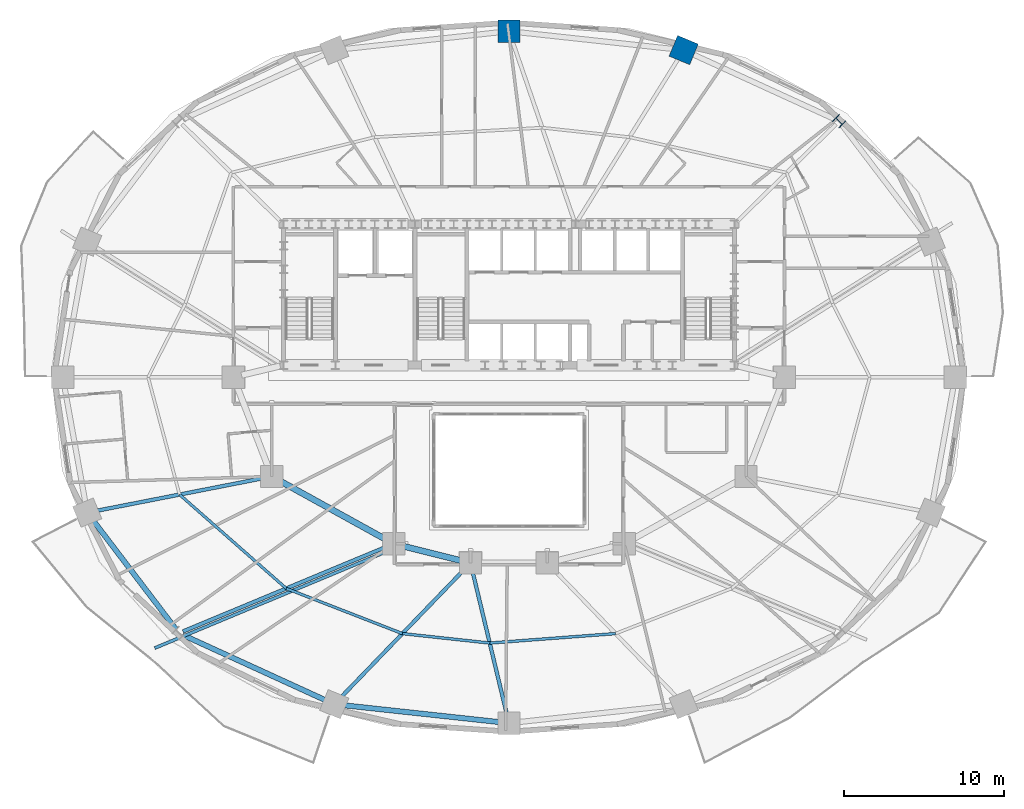
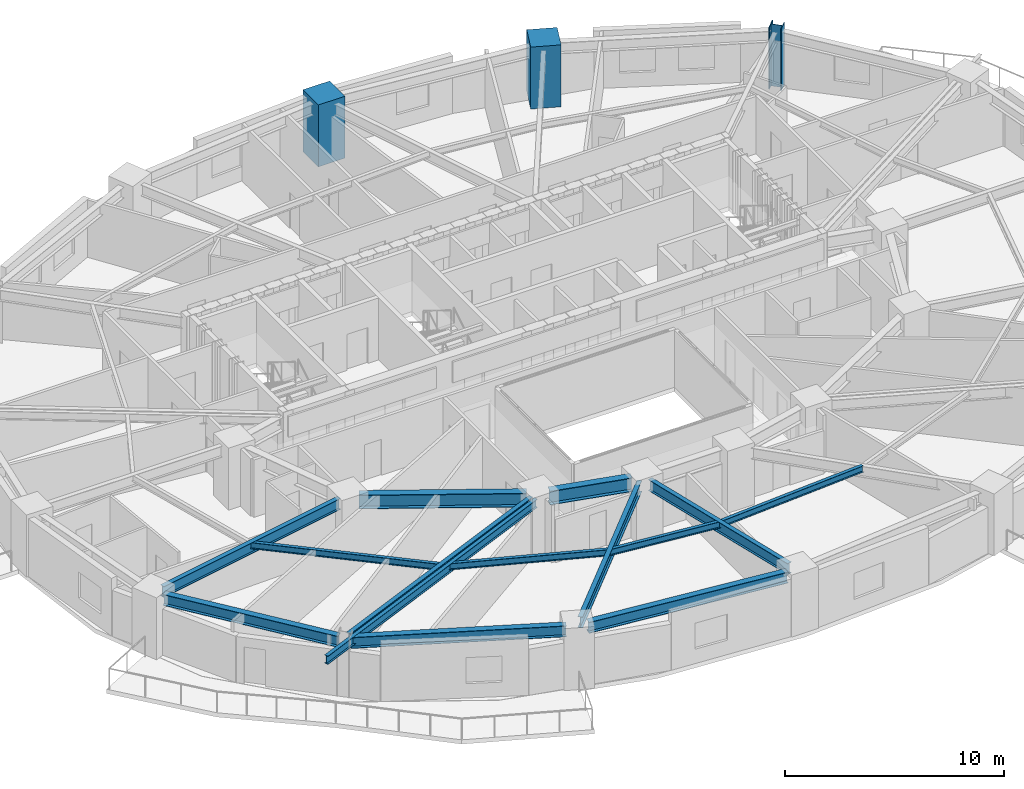
# One storey, part 2 of 15: 14 beams, 3 columns.
"""IFC4 building model written with IfcOpenShell, lengths in metres."""

from ifc_helpers import new_model, si_unit, direction, frame, origin, origin_2d, place, context, subcontext, project, spatial, rectangle, i_section, extrude, material, material_profile, profile_set, type_object, element, save


model = new_model("IFC4")

# Units and contexts
model_context = context("Model", 3, precision=1e-05, world=origin(), true_north=direction((0.0, 1.0)))
body_context = subcontext(model_context, "Body", "Model", "MODEL_VIEW")
ifc_project = project(units=[si_unit("LENGTHUNIT", "METRE"), si_unit("AREAUNIT", "SQUARE_METRE"), si_unit("VOLUMEUNIT", "CUBIC_METRE"), si_unit("PLANEANGLEUNIT", "RADIAN"), si_unit("MASSUNIT", "GRAM", prefix="KILO")], contexts=[model_context])

# Site, building, storey
site_placement = place(None, origin())
site = spatial("IfcSite", under=ifc_project, at=site_placement, CompositionType="ELEMENT")
building_placement = place(site_placement, origin())
building = spatial("IfcBuilding", under=site, at=building_placement, Name="Haldorwick Loom Tower", CompositionType="ELEMENT")
storey_placement = place(building_placement, frame((0.0, 0.0, 92.14990234375)))
storey = spatial("IfcBuildingStorey", under=building, at=storey_placement, Name="L24", CompositionType="ELEMENT", Elevation=92.14990234375)

# Columns
ifc_material_1 = material(Name="Concrete C60 (60 MPa)", Category="concrete")
ifc_material_profile_1 = material_profile(ifc_material_1, rectangle(XDim=1.39990234375, YDim=1.39990234375, at=origin_2d()), Name="RC1400X1400", Category="concrete")
ifc_profile_set_1 = profile_set([ifc_material_profile_1], Name="Concrete C60 (60 MPa)")
column_type_1 = type_object("IfcColumnType", Name="STR-COL-RC1400", PredefinedType="PILASTER", material=ifc_profile_set_1)
for number, where, z_axis, x_axis, name in (
    (1, (46.906494140625, 46.417724609375, 0.0), (0.0, 0.0, 1.0), (0.382683432365, 0.923879532511, 0.0), "L24 Perimeter Pier Column P04"),
    (2, (36.0, 47.598388671875, 0.0), (0.0, 0.0, 1.0), (0.0, 1.0, 0.0), "L24 Perimeter Pier Column P05"),
):
    element("IfcColumn", number, at=place(storey_placement, frame(where, z_axis=z_axis, x_axis=x_axis)), inside=storey, type_object=column_type_1, Name=name, PredefinedType="PILASTER", context=body_context, shape_type="SweptSolid", body=[
        extrude(rectangle(XDim=1.39990234375, YDim=1.39990234375, at=origin_2d()), origin(), (0.0, 0.0, 1.0), 3.4501953125),
    ])
ifc_material_2 = material(Name="Steel CSA G40.21 350WT", Category="steel")
ifc_material_profile_2 = material_profile(ifc_material_2, i_section(OverallWidth=0.60009765625, OverallDepth=0.60009765625, WebThickness=0.02490234375, FlangeThickness=0.035888671875, at=origin_2d()), Name="WWF600X600", Category="steel")
ifc_profile_set_2 = profile_set([ifc_material_profile_2], Name="Steel CSA G40.21 350WT")
column_type_2 = type_object("IfcColumnType", Name="STR-COL-WWF600", PredefinedType="COLUMN", material=ifc_profile_set_2)
column_placement = place(storey_placement, frame((56.606689453125, 41.981689453125, 0.0), z_axis=(0.0, 0.0, 1.0), x_axis=(0.707106781187, 0.707106781187, 0.0)))
element("IfcColumn", 3, at=column_placement, inside=storey, type_object=column_type_2, Name="L24 Perimeter Pier Column P03", PredefinedType="COLUMN", context=body_context, shape_type="SweptSolid", body=[
    extrude(i_section(OverallWidth=0.60009765625, OverallDepth=0.60009765625, WebThickness=0.02490234375, FlangeThickness=0.035888671875, at=origin_2d()), origin(), (0.0, 0.0, 1.0), 3.4501953125),
])

# Beams
ifc_material_3 = material(Name="Steel CSA G40.21 350W", Category="steel")
ifc_material_profile_3 = material_profile(ifc_material_3, i_section(OverallWidth=0.193115234375, OverallDepth=0.466064453125, WebThickness=0.011474609375, FlangeThickness=0.01904296875, at=origin_2d()), Name="W460X97", Category="steel")
ifc_profile_set_3 = profile_set([ifc_material_profile_3], Name="Steel CSA G40.21 350W")
beam_type_1 = type_object("IfcBeamType", Name="STR-BM-BAL460", PredefinedType="BEAM", material=ifc_profile_set_3)
beam_1_placement = place(storey_placement, frame((28.427490234375, 15.1416015625, 2.97705078125), z_axis=(-0.923185561192, -0.38435454935, 0.0), x_axis=(0.38435454935, -0.923185561192, 0.0)))
element("IfcBeam", 4, at=beam_1_placement, inside=storey, type_object=beam_type_1, Name="L24 Continuous Back-Spanned Balcony Beam 2", PredefinedType="BEAM", context=body_context, shape_type="SweptSolid", body=[
    extrude(i_section(OverallWidth=0.193115234375, OverallDepth=0.466064453125, WebThickness=0.011474609375, FlangeThickness=0.01904296875, at=origin_2d()), origin(), (0.0, 0.0, 1.0), 15.752197265625),
])
ifc_material_profile_4 = material_profile(ifc_material_3, i_section(OverallWidth=0.172119140625, OverallDepth=0.35791015625, WebThickness=0.0078125, FlangeThickness=0.01318359375, at=origin_2d()), Name="W360X57", Category="steel")
ifc_profile_set_4 = profile_set([ifc_material_profile_4], Name="Steel CSA G40.21 350W")
beam_type_2 = type_object("IfcBeamType", Name="STR-BM-J360", PredefinedType="JOIST", material=ifc_profile_set_4)
beam_2_placement = place(storey_placement, frame((15.434814453125, 18.67138671875, 3.031005859375), z_axis=(0.750721157729, -0.660619212057, 0.0), x_axis=(0.660619212057, 0.750721157729, 0.0)))
element("IfcBeam", 5, at=beam_2_placement, inside=storey, type_object=beam_type_2, Name="L24 Mid-Bay Secondary Joist 10", PredefinedType="JOIST", context=body_context, shape_type="SweptSolid", body=[
    extrude(i_section(OverallWidth=0.172119140625, OverallDepth=0.35791015625, WebThickness=0.0078125, FlangeThickness=0.01318359375, at=origin_2d()), origin(), (0.0, 0.0, 1.0), 8.8740234375),
])
beam_3_placement = place(storey_placement, frame((22.0966796875, 12.80908203125, 3.031005859375), z_axis=(0.932072983051, -0.362270553959, 0.0), x_axis=(0.362270553959, 0.932072983051, 0.0)))
element("IfcBeam", 6, at=beam_3_placement, inside=storey, type_object=beam_type_2, Name="L24 Mid-Bay Secondary Joist 11", PredefinedType="JOIST", context=body_context, shape_type="SweptSolid", body=[
    extrude(i_section(OverallWidth=0.172119140625, OverallDepth=0.35791015625, WebThickness=0.0078125, FlangeThickness=0.01318359375, at=origin_2d()), origin(), (0.0, 0.0, 1.0), 7.7783203125),
])
beam_4_placement = place(storey_placement, frame((29.3466796875, 9.9912109375, 3.031005859375), z_axis=(0.994191869342, -0.107622148904, 0.0), x_axis=(0.107622148904, 0.994191869342, 0.0)))
element("IfcBeam", 7, at=beam_4_placement, inside=storey, type_object=beam_type_2, Name="L24 Mid-Bay Secondary Joist 12", PredefinedType="JOIST", context=body_context, shape_type="SweptSolid", body=[
    extrude(i_section(OverallWidth=0.172119140625, OverallDepth=0.35791015625, WebThickness=0.0078125, FlangeThickness=0.01318359375, at=origin_2d()), origin(), (0.0, 0.0, 1.0), 5.485107421875),
])
beam_5_placement = place(storey_placement, frame((34.800048828125, 9.40087890625, 3.031005859375), z_axis=(0.99718663731, 0.074958724439, 0.0), x_axis=(-0.074958724439, 0.99718663731, 0.0)))
element("IfcBeam", 8, at=beam_5_placement, inside=storey, type_object=beam_type_2, Name="L24 Mid-Bay Secondary Joist 13", PredefinedType="JOIST", context=body_context, shape_type="SweptSolid", body=[
    extrude(i_section(OverallWidth=0.172119140625, OverallDepth=0.35791015625, WebThickness=0.0078125, FlangeThickness=0.01318359375, at=origin_2d()), origin(), (0.0, 0.0, 1.0), 7.87548828125),
])
ifc_material_profile_5 = material_profile(ifc_material_3, i_section(OverallWidth=0.324951171875, OverallDepth=0.615966796875, WebThickness=0.013916015625, FlangeThickness=0.021484375, at=origin_2d()), Name="W610X174", Category="steel")
ifc_profile_set_5 = profile_set([ifc_material_profile_5], Name="Steel CSA G40.21 350W")
beam_type_3 = type_object("IfcBeamType", Name="STR-BM-SP610", PredefinedType="SPANDREL", material=ifc_profile_set_5)
beam_6_placement = place(storey_placement, frame((9.984130859375, 17.12890625, 2.902099609375), z_axis=(0.605453508047, -0.795880675475, 0.0), x_axis=(0.795880675475, 0.605453508047, 0.0)))
element("IfcBeam", 9, at=beam_6_placement, inside=storey, type_object=beam_type_3, Name="L24 Perimeter Spandrel 10", PredefinedType="SPANDREL", context=body_context, shape_type="SweptSolid", body=[
    extrude(i_section(OverallWidth=0.324951171875, OverallDepth=0.615966796875, WebThickness=0.013916015625, FlangeThickness=0.021484375, at=origin_2d()), origin(), (0.0, 0.0, 1.0), 8.6591796875),
])
beam_7_placement = place(storey_placement, frame((15.643310546875, 9.90380859375, 2.902099609375), z_axis=(0.909423969306, -0.415870225011, 0.0), x_axis=(0.415870225011, 0.909423969306, 0.0)))
element("IfcBeam", 10, at=beam_7_placement, inside=storey, type_object=beam_type_3, Name="L24 Perimeter Spandrel 11", PredefinedType="SPANDREL", context=body_context, shape_type="SweptSolid", body=[
    extrude(i_section(OverallWidth=0.324951171875, OverallDepth=0.615966796875, WebThickness=0.013916015625, FlangeThickness=0.021484375, at=origin_2d()), origin(), (0.0, 0.0, 1.0), 9.871337890625),
])
beam_8_placement = place(storey_placement, frame((25.610595703125, 5.5263671875, 2.902099609375), z_axis=(0.994190135627, -0.107638163409, 0.0), x_axis=(0.107638163409, 0.994190135627, 0.0)))
element("IfcBeam", 11, at=beam_8_placement, inside=storey, type_object=beam_type_3, Name="L24 Perimeter Spandrel 12", PredefinedType="SPANDREL", context=body_context, shape_type="SweptSolid", body=[
    extrude(i_section(OverallWidth=0.324951171875, OverallDepth=0.615966796875, WebThickness=0.013916015625, FlangeThickness=0.021484375, at=origin_2d()), origin(), (0.0, 0.0, 1.0), 9.929931640625),
])
ifc_material_profile_6 = material_profile(ifc_material_3, i_section(OverallWidth=0.22998046875, OverallDepth=0.616943359375, WebThickness=0.01318359375, FlangeThickness=0.022216796875, at=origin_2d()), Name="W610X140", Category="steel")
ifc_profile_set_6 = profile_set([ifc_material_profile_6], Name="Steel CSA G40.21 350W")
beam_type_4 = type_object("IfcBeamType", Name="STR-BM-W610B", PredefinedType="BEAM", material=ifc_profile_set_6)
beam_9_placement = place(storey_placement, frame((20.689697265625, 19.7001953125, 2.901611328125), z_axis=(-0.981369581426, -0.192129499692, 0.0), x_axis=(0.192129499692, -0.981369581426, 0.0)))
element("IfcBeam", 12, at=beam_9_placement, inside=storey, type_object=beam_type_4, Name="L24 Radial Floor Girder 10", PredefinedType="BEAM", context=body_context, shape_type="SweptSolid", body=[
    extrude(i_section(OverallWidth=0.22998046875, OverallDepth=0.616943359375, WebThickness=0.01318359375, FlangeThickness=0.022216796875, at=origin_2d()), origin(), (0.0, 0.0, 1.0), 10.70947265625),
])
beam_10_placement = place(storey_placement, frame((28.31982421875, 15.400146484375, 2.901611328125), z_axis=(-0.923183704764, -0.384359008297, 0.0), x_axis=(0.384359008297, -0.923183704764, 0.0)))
element("IfcBeam", 13, at=beam_10_placement, inside=storey, type_object=beam_type_4, Name="L24 Radial Floor Girder 11", PredefinedType="BEAM", context=body_context, shape_type="SweptSolid", body=[
    extrude(i_section(OverallWidth=0.22998046875, OverallDepth=0.616943359375, WebThickness=0.01318359375, FlangeThickness=0.022216796875, at=origin_2d()), origin(), (0.0, 0.0, 1.0), 13.72705078125),
])
beam_11_placement = place(storey_placement, frame((33.239013671875, 14.02587890625, 2.901611328125), z_axis=(-0.694287071595, -0.719698174387, 0.0), x_axis=(0.719698174387, -0.694287071595, 0.0)))
element("IfcBeam", 14, at=beam_11_placement, inside=storey, type_object=beam_type_4, Name="L24 Radial Floor Girder 12", PredefinedType="BEAM", context=body_context, shape_type="SweptSolid", body=[
    extrude(i_section(OverallWidth=0.22998046875, OverallDepth=0.616943359375, WebThickness=0.01318359375, FlangeThickness=0.022216796875, at=origin_2d()), origin(), (0.0, 0.0, 1.0), 11.212158203125),
])
beam_12_placement = place(storey_placement, frame((33.721435546875, 13.894287109375, 2.901611328125), z_axis=(0.233406920764, -0.972379148964, 0.0), x_axis=(0.972379148964, 0.233406920764, 0.0)))
element("IfcBeam", 15, at=beam_12_placement, inside=storey, type_object=beam_type_4, Name="L24 Radial Floor Girder 13", PredefinedType="BEAM", context=body_context, shape_type="SweptSolid", body=[
    extrude(i_section(OverallWidth=0.22998046875, OverallDepth=0.616943359375, WebThickness=0.01318359375, FlangeThickness=0.022216796875, at=origin_2d()), origin(), (0.0, 0.0, 1.0), 9.242431640625),
])
ifc_material_profile_7 = material_profile(ifc_material_3, i_section(OverallWidth=0.381103515625, OverallDepth=0.77294921875, WebThickness=0.0166015625, FlangeThickness=0.027587890625, at=origin_2d()), Name="W760X257", Category="steel")
ifc_profile_set_7 = profile_set([ifc_material_profile_7], Name="Steel CSA G40.21 350W")
beam_type_5 = type_object("IfcBeamType", Name="STR-BM-W760", PredefinedType="BEAM", material=ifc_profile_set_7)
beam_13_placement = place(storey_placement, frame((33.095458984375, 14.526123046875, 2.823486328125), z_axis=(-0.970142500145, 0.242535625036, 0.0), x_axis=(-0.242535625036, -0.970142500145, 0.0)))
element("IfcBeam", 16, at=beam_13_placement, inside=storey, type_object=beam_type_5, Name="L24 Inner Ring Girder 6", PredefinedType="BEAM", context=body_context, shape_type="SweptSolid", body=[
    extrude(i_section(OverallWidth=0.381103515625, OverallDepth=0.77294921875, WebThickness=0.0166015625, FlangeThickness=0.027587890625, at=origin_2d()), origin(), (0.0, 0.0, 1.0), 3.90771484375),
])
beam_14_placement = place(storey_placement, frame((28.344970703125, 15.8515625, 2.823486328125), z_axis=(-0.875244382146, 0.483680960471, 0.0), x_axis=(-0.483680960471, -0.875244382146, 0.0)))
element("IfcBeam", 17, at=beam_14_placement, inside=storey, type_object=beam_type_5, Name="L24 Inner Ring Girder 7", PredefinedType="BEAM", context=body_context, shape_type="SweptSolid", body=[
    extrude(i_section(OverallWidth=0.381103515625, OverallDepth=0.77294921875, WebThickness=0.0166015625, FlangeThickness=0.027587890625, at=origin_2d()), origin(), (0.0, 0.0, 1.0), 7.6435546875),
])

save(model, "model.ifc")
